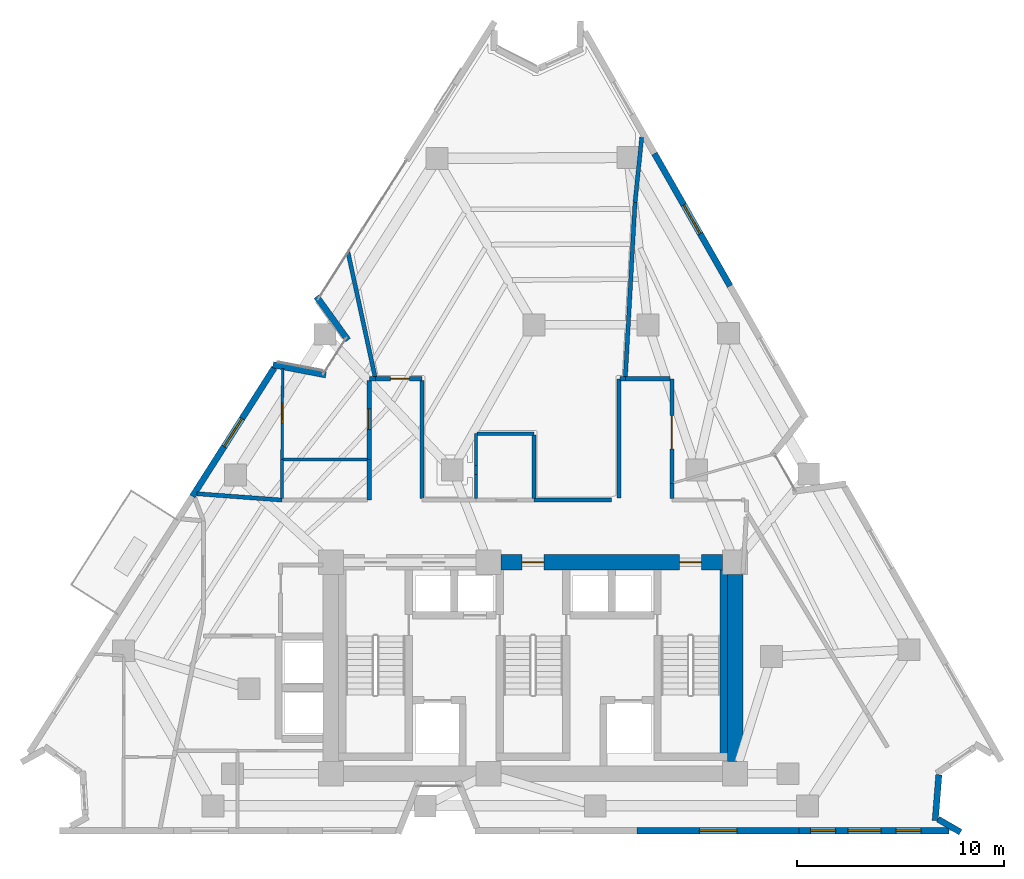
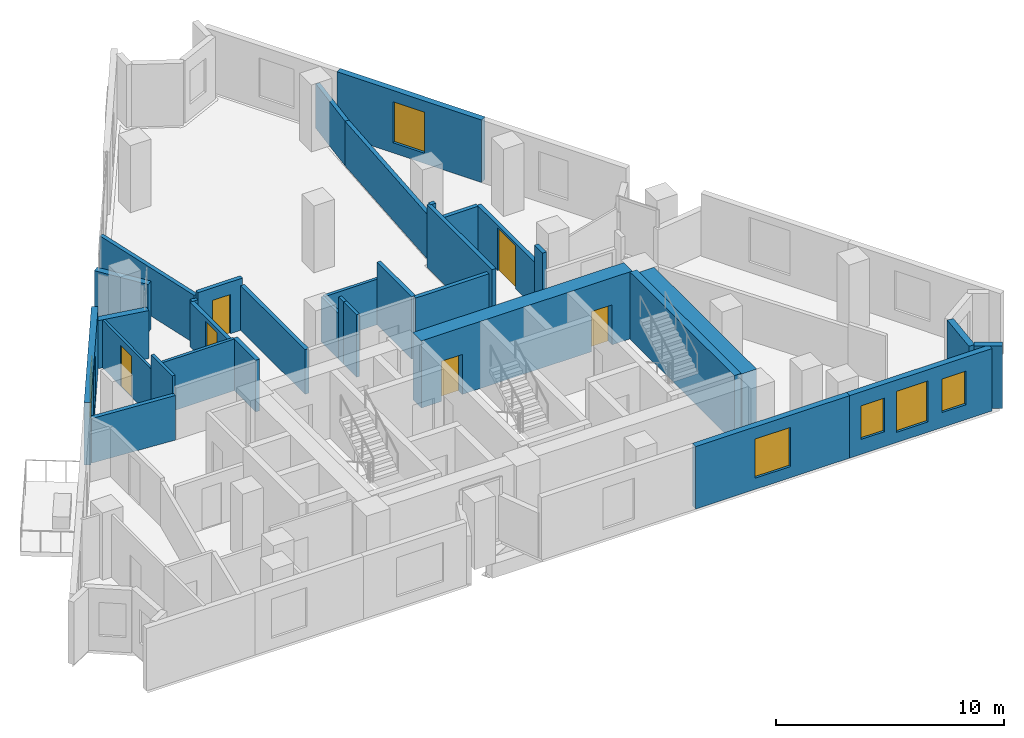
# One storey, part 8 of 11: 34 walls, 6 doors, 6 windows, 12 openings.
"""IFC4 building model written with IfcOpenShell, lengths in metres."""

from ifc_helpers import new_model, si_unit, direction, frame, frame_2d, origin, place, context, subcontext, project, spatial, rectangle, extrude, material, layer, layer_set, type_object, element, fill, save


model = new_model("IFC4")

# Units and contexts
model_context = context("Model", 3, precision=1e-05, world=origin(), true_north=direction((0.0, 1.0)))
body_context = subcontext(model_context, "Body", "Model", "MODEL_VIEW")
ifc_project = project(units=[si_unit("LENGTHUNIT", "METRE"), si_unit("AREAUNIT", "SQUARE_METRE"), si_unit("VOLUMEUNIT", "CUBIC_METRE"), si_unit("PLANEANGLEUNIT", "RADIAN"), si_unit("MASSUNIT", "GRAM", prefix="KILO")], contexts=[model_context])

# Site, building, storey
site_placement = place(None, origin())
site = spatial("IfcSite", under=ifc_project, at=site_placement, CompositionType="ELEMENT")
building_placement = place(site_placement, origin())
building = spatial("IfcBuilding", under=site, at=building_placement, Name="Almagre Mirador Tower", CompositionType="ELEMENT")
storey_placement = place(building_placement, frame((0.0, 0.0, 142.800048828125)))
storey = spatial("IfcBuildingStorey", under=building, at=storey_placement, Name="L36", CompositionType="ELEMENT", Elevation=142.800048828125)

# Walls
ifc_material_1 = material(Name="Precast concrete C50/60", Category="concrete")
ifc_layer_1 = layer(ifc_material_1, 0.300048828125)
ifc_layer_set_1 = layer_set([ifc_layer_1], Name="Precast concrete C50/60")
wall_type_1 = type_object("IfcWallType", Name="WAL-EXT-300", PredefinedType="SOLIDWALL", material=ifc_layer_set_1)
wall_1_placement = place(storey_placement, frame((24.758544921875, 24.2763671875, 0.0), z_axis=(0.0, 0.0, 1.0), x_axis=(0.982235402226, -0.187652909954, 0.0)))
element("IfcWall", 1, at=wall_1_placement, inside=storey, type_object=wall_type_1, Name="L36 expressed almagre precast frame wall 01", PredefinedType="SOLIDWALL", context=body_context, shape_type="SweptSolid", body=[
    extrude(rectangle(XDim=2.593017578125, YDim=0.300048828125, at=frame_2d((1.29638671875, 0.0))), origin(), (0.0, 0.0, 1.0), 2.574951171875),
])
wall_2_placement = place(storey_placement, frame((28.372802734375, 25.465576171875, 0.0), z_axis=(0.0, 0.0, 1.0), x_axis=(-0.585229316709, 0.810867835633, 0.0)))
element("IfcWall", 2, at=wall_2_placement, inside=storey, type_object=wall_type_1, Name="L36 expressed almagre precast frame wall 02", PredefinedType="SOLIDWALL", context=body_context, shape_type="SweptSolid", body=[
    extrude(rectangle(XDim=2.593505859375, YDim=0.300048828125, at=frame_2d((1.296875, 0.0))), origin(), (0.0, 0.0, 1.0), 2.574951171875),
])

# Wall, opening, window
wall_3_placement = place(storey_placement, frame((43.157958984375, 34.46240234375, 0.0), z_axis=(0.0, 0.0, 1.0), x_axis=(0.495673944594, -0.868508687723, 0.0)))
wall_3 = element("IfcWall", 3, at=wall_3_placement, inside=storey, type_object=wall_type_1, Name="L36 expressed almagre precast frame wall 09", PredefinedType="SOLIDWALL", context=body_context, shape_type="SweptSolid", body=[
    extrude(rectangle(XDim=7.351806640625, YDim=0.300048828125, at=frame_2d((3.67578125, 0.0))), origin(), (0.0, 0.0, 1.0), 3.349853515625),
])
opening_1_placement = place(wall_3_placement, frame((2.85009765625, 0.0, 0.550048828125)))
opening_1 = element("IfcOpeningElement", 4, at=opening_1_placement, cuts=wall_3, Name="Opening WN-06", PredefinedType="OPENING", context=body_context, shape_type="SweptSolid", body=[
    extrude(rectangle(XDim=1.60009765625, YDim=2.199951171875, at=frame_2d((0.800048828125, 1.10009765625))), frame((0.0, 0.159902, 0.0), z_axis=(0.0, -1.0, 0.0), x_axis=(1.0, 0.0, 0.0)), (0.0, 0.0, 1.0), 0.320049),
])
ifc_material_2 = material(Name="Dark solar-control laminated hurricane glass", Category="glass")
window_type_1 = type_object("IfcWindowType", Name="WIN-1600X2200", PartitioningType="DOUBLE_PANEL_VERTICAL", PredefinedType="WINDOW", material=ifc_material_2)
window_1_placement = place(opening_1_placement, origin())
window_1 = element("IfcWindow", 5, at=window_1_placement, inside=storey, type_object=window_type_1, Name="L36 recessed hurricane window L36-RST-H", OverallHeight=2.199951171875, OverallWidth=1.60009765625, PartitioningType="SINGLE_PANEL", PredefinedType="WINDOW", context=body_context, shape_type="SweptSolid", body=[
    extrude(rectangle(XDim=1.60009765625, YDim=2.199951171875, at=frame_2d((0.800048828125, 1.10009765625))), frame((0.0, 0.030029296875, 0.0), z_axis=(0.0, -1.0, 0.0), x_axis=(1.0, 0.0, 0.0)), (0.0, 0.0, 1.0), 0.06005859375),
])
fill(opening_1, window_1)

# Walls
wall_4_placement = place(storey_placement, frame((56.8759765625, 4.50244140625, 0.0), z_axis=(0.0, 0.0, 1.0), x_axis=(-0.079981668757, -0.996796334595, 0.0)))
element("IfcWall", 6, at=wall_4_placement, inside=storey, type_object=wall_type_1, Name="L36 expressed almagre precast frame wall 17", PredefinedType="SOLIDWALL", context=body_context, shape_type="SweptSolid", body=[
    extrude(rectangle(XDim=2.216064453125, YDim=0.300048828125, at=frame_2d((1.10791015625, 0.0))), origin(), (0.0, 0.0, 1.0), 3.349853515625),
])
wall_5_placement = place(storey_placement, frame((56.83544921875, 2.360107421875, 0.0), z_axis=(0.0, 0.0, 1.0), x_axis=(0.864799842676, -0.502116751471, 0.0)))
element("IfcWall", 7, at=wall_5_placement, inside=storey, type_object=wall_type_1, Name="L36 expressed almagre precast frame wall 18", PredefinedType="SOLIDWALL", context=body_context, shape_type="SweptSolid", body=[
    extrude(rectangle(XDim=1.25537109375, YDim=0.300048828125, at=frame_2d((0.627685546875, 0.0))), origin(), (0.0, 0.0, 1.0), 3.349853515625),
])

# Wall, openings, windows
wall_6_placement = place(storey_placement, frame((57.35498046875, 1.800048828125, 0.0), z_axis=(0.0, 0.0, 1.0), x_axis=(-1.0, 0.0, 0.0)))
wall_6 = element("IfcWall", 8, at=wall_6_placement, inside=storey, type_object=wall_type_1, Name="L36 expressed almagre precast frame wall 19", PredefinedType="SOLIDWALL", context=body_context, shape_type="SweptSolid", body=[
    extrude(rectangle(XDim=7.22705078125, YDim=0.300048828125, at=frame_2d((3.613525390625, 0.0))), origin(), (0.0, 0.0, 1.0), 3.349853515625),
])
opening_2_placement = place(wall_6_placement, frame((5.465087890625, 0.0, 0.800048828125)))
opening_2 = element("IfcOpeningElement", 9, at=opening_2_placement, cuts=wall_6, Name="Opening WN-04", PredefinedType="OPENING", context=body_context, shape_type="SweptSolid", body=[
    extrude(rectangle(XDim=1.199951171875, YDim=1.800048828125, at=frame_2d((0.60009765625, 0.89990234375))), frame((0.0, 0.159902, 0.0), z_axis=(0.0, -1.0, 0.0), x_axis=(1.0, 0.0, 0.0)), (0.0, 0.0, 1.0), 0.320049),
])
opening_3_placement = place(wall_6_placement, frame((3.264892578125, 0.0, 0.550048828125)))
opening_3 = element("IfcOpeningElement", 10, at=opening_3_placement, cuts=wall_6, Name="Opening WN-06", PredefinedType="OPENING", context=body_context, shape_type="SweptSolid", body=[
    extrude(rectangle(XDim=1.60009765625, YDim=2.199951171875, at=frame_2d((0.800048828125, 1.10009765625))), frame((0.0, 0.159902, 0.0), z_axis=(0.0, -1.0, 0.0), x_axis=(1.0, 0.0, 0.0)), (0.0, 0.0, 1.0), 0.320049),
])
opening_4_placement = place(wall_6_placement, frame((1.340087890625, 0.0, 0.800048828125)))
opening_4 = element("IfcOpeningElement", 11, at=opening_4_placement, cuts=wall_6, Name="Opening WN-04", PredefinedType="OPENING", context=body_context, shape_type="SweptSolid", body=[
    extrude(rectangle(XDim=1.199951171875, YDim=1.800048828125, at=frame_2d((0.60009765625, 0.89990234375))), frame((0.0, 0.159902, 0.0), z_axis=(0.0, -1.0, 0.0), x_axis=(1.0, 0.0, 0.0)), (0.0, 0.0, 1.0), 0.320049),
])
ifc_material_3 = material(Name="Dark solar-control laminated hurricane glass", Category="glass")
window_type_2 = type_object("IfcWindowType", Name="WIN-1200X1800", PartitioningType="SINGLE_PANEL", PredefinedType="WINDOW", material=ifc_material_3)
window_2_placement = place(opening_2_placement, origin())
window_2 = element("IfcWindow", 12, at=window_2_placement, inside=storey, type_object=window_type_2, Name="L36 recessed hurricane window L36-UD-ST", OverallHeight=1.800048828125, OverallWidth=1.199951171875, PartitioningType="SINGLE_PANEL", PredefinedType="WINDOW", context=body_context, shape_type="SweptSolid", body=[
    extrude(rectangle(XDim=1.199951171875, YDim=1.800048828125, at=frame_2d((0.60009765625, 0.89990234375))), frame((0.0, 0.030029296875, 0.0), z_axis=(0.0, -1.0, 0.0), x_axis=(1.0, 0.0, 0.0)), (0.0, 0.0, 1.0), 0.06005859375),
])
fill(opening_2, window_2)
window_3_placement = place(opening_4_placement, origin())
window_3 = element("IfcWindow", 13, at=window_3_placement, inside=storey, type_object=window_type_2, Name="L36 recessed hurricane window L36-UD-BT", OverallHeight=1.800048828125, OverallWidth=1.199951171875, PartitioningType="SINGLE_PANEL", PredefinedType="WINDOW", context=body_context, shape_type="SweptSolid", body=[
    extrude(rectangle(XDim=1.199951171875, YDim=1.800048828125, at=frame_2d((0.60009765625, 0.89990234375))), frame((0.0, 0.030029296875, 0.0), z_axis=(0.0, -1.0, 0.0), x_axis=(1.0, 0.0, 0.0)), (0.0, 0.0, 1.0), 0.06005859375),
])
fill(opening_4, window_3)
window_4_placement = place(opening_3_placement, origin())
window_4 = element("IfcWindow", 14, at=window_4_placement, inside=storey, type_object=window_type_1, Name="L36 recessed hurricane window L36-UD-KT", OverallHeight=2.199951171875, OverallWidth=1.60009765625, PartitioningType="SINGLE_PANEL", PredefinedType="WINDOW", context=body_context, shape_type="SweptSolid", body=[
    extrude(rectangle(XDim=1.60009765625, YDim=2.199951171875, at=frame_2d((0.800048828125, 1.10009765625))), frame((0.0, 0.030029296875, 0.0), z_axis=(0.0, -1.0, 0.0), x_axis=(1.0, 0.0, 0.0)), (0.0, 0.0, 1.0), 0.06005859375),
])
fill(opening_3, window_4)

# Wall, opening, window
wall_7_placement = place(storey_placement, frame((50.1279296875, 1.800048828125, 0.0), z_axis=(0.0, 0.0, 1.0), x_axis=(-1.0, 0.0, 0.0)))
wall_7 = element("IfcWall", 15, at=wall_7_placement, inside=storey, type_object=wall_type_1, Name="L36 expressed almagre precast frame wall 20", PredefinedType="SOLIDWALL", context=body_context, shape_type="SweptSolid", body=[
    extrude(rectangle(XDim=7.81201171875, YDim=0.300048828125, at=frame_2d((3.906005859375, 0.0))), origin(), (0.0, 0.0, 1.0), 3.349853515625),
])
opening_5_placement = place(wall_7_placement, frame((3.0, 0.0, 0.60009765625)))
opening_5 = element("IfcOpeningElement", 16, at=opening_5_placement, cuts=wall_7, Name="Opening WN-01", PredefinedType="OPENING", context=body_context, shape_type="SweptSolid", body=[
    extrude(rectangle(XDim=1.800048828125, YDim=2.10009765625, at=frame_2d((0.89990234375, 1.050048828125))), frame((0.0, 0.159902, 0.0), z_axis=(0.0, -1.0, 0.0), x_axis=(1.0, 0.0, 0.0)), (0.0, 0.0, 1.0), 0.320049),
])
ifc_material_4 = material(Name="Dark solar-control laminated hurricane glass", Category="glass")
window_type_3 = type_object("IfcWindowType", Name="WIN-1800X2100", PartitioningType="DOUBLE_PANEL_VERTICAL", PredefinedType="WINDOW", material=ifc_material_4)
window_5_placement = place(opening_5_placement, origin())
window_5 = element("IfcWindow", 17, at=window_5_placement, inside=storey, type_object=window_type_3, Name="L36 recessed hurricane window L36-UC-KT", OverallHeight=2.10009765625, OverallWidth=1.800048828125, PartitioningType="SINGLE_PANEL", PredefinedType="WINDOW", context=body_context, shape_type="SweptSolid", body=[
    extrude(rectangle(XDim=1.800048828125, YDim=2.10009765625, at=frame_2d((0.89990234375, 1.050048828125))), frame((0.0, 0.030029296875, 0.0), z_axis=(0.0, -1.0, 0.0), x_axis=(1.0, 0.0, 0.0)), (0.0, 0.0, 1.0), 0.06005859375),
])
fill(opening_5, window_5)

wall_8_placement = place(storey_placement, frame((20.8720703125, 17.9306640625, 0.0), z_axis=(0.0, 0.0, 1.0), x_axis=(0.537120433892, 0.843505565776, 0.0)))
wall_8 = element("IfcWall", 18, at=wall_8_placement, inside=storey, type_object=wall_type_1, Name="L36 expressed almagre precast frame wall 33", PredefinedType="SOLIDWALL", context=body_context, shape_type="SweptSolid", body=[
    extrude(rectangle(XDim=7.3515625, YDim=0.300048828125, at=frame_2d((3.67578125, 0.0))), origin(), (0.0, 0.0, 1.0), 3.349853515625),
])
opening_6_placement = place(wall_8_placement, frame((2.85009765625, 0.0, 0.550048828125)))
opening_6 = element("IfcOpeningElement", 19, at=opening_6_placement, cuts=wall_8, Name="Opening WN-06", PredefinedType="OPENING", context=body_context, shape_type="SweptSolid", body=[
    extrude(rectangle(XDim=1.60009765625, YDim=2.199951171875, at=frame_2d((0.800048828125, 1.10009765625))), frame((0.0, 0.159902, 0.0), z_axis=(0.0, -1.0, 0.0), x_axis=(1.0, 0.0, 0.0)), (0.0, 0.0, 1.0), 0.320049),
])
window_6_placement = place(opening_6_placement, origin())
window_6 = element("IfcWindow", 20, at=window_6_placement, inside=storey, type_object=window_type_1, Name="L36 recessed hurricane window L36-UF-KT", OverallHeight=2.199951171875, OverallWidth=1.60009765625, PartitioningType="SINGLE_PANEL", PredefinedType="WINDOW", context=body_context, shape_type="SweptSolid", body=[
    extrude(rectangle(XDim=1.60009765625, YDim=2.199951171875, at=frame_2d((0.800048828125, 1.10009765625))), frame((0.0, 0.030029296875, 0.0), z_axis=(0.0, -1.0, 0.0), x_axis=(1.0, 0.0, 0.0)), (0.0, 0.0, 1.0), 0.06005859375),
])
fill(opening_6, window_6)

# Wall, opening, door
ifc_material_5 = material(Name="Gypsum acoustic stud partition", Category="other")
ifc_layer_2 = layer(ifc_material_5, 0.125)
ifc_layer_set_2 = layer_set([ifc_layer_2], Name="Gypsum acoustic stud partition")
wall_type_2 = type_object("IfcWallType", Name="WAL-PRT-125-UTL", PredefinedType="PARTITIONING", material=ifc_layer_set_2)
wall_9_placement = place(storey_placement, frame((25.22412109375, 24.087890625, 0.0), z_axis=(0.0, 0.0, 1.0), x_axis=(-0.007807033987, -0.999969524646, 0.0)))
wall_9 = element("IfcWall", 21, at=wall_9_placement, inside=storey, type_object=wall_type_2, Name="L36 interior partition 045", PredefinedType="PARTITIONING", context=body_context, shape_type="SweptSolid", body=[
    extrude(rectangle(XDim=4.378173828125, YDim=0.125, at=frame_2d((2.18896484375, 0.0))), origin(), (0.0, 0.0, 1.0), 2.570068359375),
])
opening_7_placement = place(wall_9_placement, frame((1.664794921875, 0.0, 0.0)))
opening_7 = element("IfcOpeningElement", 22, at=opening_7_placement, cuts=wall_9, Name="Opening UD-01", PredefinedType="OPENING", context=body_context, shape_type="SweptSolid", body=[
    extrude(rectangle(XDim=0.949951171875, YDim=2.199951171875, at=frame_2d((0.47509765625, 1.10009765625))), frame((0.0, 0.0725, 0.0), z_axis=(0.0, -1.0, 0.0), x_axis=(1.0, 0.0, 0.0)), (0.0, 0.0, 1.0), 0.145),
])
ifc_material_6 = material(Name="Solid American walnut timber", Category="wood")
door_type_1 = type_object("IfcDoorType", Name="DOR-UNR-950X2200", OperationType="NOTDEFINED", PredefinedType="DOOR", material=ifc_material_6)
door_1_placement = place(opening_7_placement, origin())
door_1 = element("IfcDoor", 23, at=door_1_placement, inside=storey, type_object=door_type_1, Name="DR-1182 L36 interior door L36-UF-ST to L36-UF-KT", OperationType="SINGLE_SWING_RIGHT", OverallHeight=2.199951171875, OverallWidth=0.949951171875, PredefinedType="DOOR", context=body_context, shape_type="SweptSolid", body=[
    extrude(rectangle(XDim=0.949951171875, YDim=2.199951171875, at=frame_2d((0.47509765625, 1.10009765625))), frame((0.0, 0.02490234375, 0.0), z_axis=(0.0, -1.0, 0.0), x_axis=(1.0, 0.0, 0.0)), (0.0, 0.0, 1.0), 0.050048828125),
])
fill(opening_7, door_1)

# Walls
ifc_material_7 = material(Name="Gypsum acoustic stud partition", Category="other")
ifc_layer_3 = layer(ifc_material_7, 0.14990234375)
ifc_layer_set_3 = layer_set([ifc_layer_3], Name="Gypsum acoustic stud partition")
wall_type_3 = type_object("IfcWallType", Name="WAL-PRT-150-STD", PredefinedType="PARTITIONING", material=ifc_layer_set_3)
wall_10_placement = place(storey_placement, frame((25.237548828125, 19.7099609375, 0.0), z_axis=(0.0, 0.0, 1.0), x_axis=(1.0, 0.0, 0.0)))
element("IfcWall", 24, at=wall_10_placement, inside=storey, type_object=wall_type_3, Name="L36 interior partition 046", PredefinedType="PARTITIONING", context=body_context, shape_type="SweptSolid", body=[
    extrude(rectangle(XDim=4.077392578125, YDim=0.14990234375, at=frame_2d((2.03857421875, 0.0))), origin(), (0.0, 0.0, 1.0), 2.77099609375),
])
wall_11_placement = place(storey_placement, frame((25.18994140625, 17.8349609375, 0.0), z_axis=(0.0, 0.0, 1.0), x_axis=(0.0, 1.0, 0.0)))
element("IfcWall", 25, at=wall_11_placement, inside=storey, type_object=wall_type_3, Name="L36 interior partition 048", PredefinedType="PARTITIONING", context=body_context, shape_type="SweptSolid", body=[
    extrude(rectangle(XDim=1.862548828125, YDim=0.14990234375, at=frame_2d((0.93115234375, 0.0))), origin(), (0.0, 0.0, 1.0), 3.349853515625),
])
wall_12_placement = place(storey_placement, frame((34.5400390625, 17.8349609375, 0.0), z_axis=(0.0, 0.0, 1.0), x_axis=(0.0, 1.0, 0.0)))
element("IfcWall", 26, at=wall_12_placement, inside=storey, type_object=wall_type_3, Name="L36 interior partition 049", PredefinedType="PARTITIONING", context=body_context, shape_type="SweptSolid", body=[
    extrude(rectangle(XDim=1.14501953125, YDim=0.14990234375, at=frame_2d((0.572509765625, 0.0))), origin(), (0.0, 0.0, 1.0), 3.349853515625),
])
wall_13_placement = place(storey_placement, frame((34.5400390625, 19.419921875, 0.0), z_axis=(0.0, 0.0, 1.0), x_axis=(0.0, 1.0, 0.0)))
element("IfcWall", 27, at=wall_13_placement, inside=storey, type_object=wall_type_3, Name="L36 interior partition 050", PredefinedType="PARTITIONING", context=body_context, shape_type="SweptSolid", body=[
    extrude(rectangle(XDim=1.530029296875, YDim=0.14990234375, at=frame_2d((0.76513671875, 0.0))), origin(), (0.0, 0.0, 1.0), 2.43603515625),
])
wall_14_placement = place(storey_placement, frame((37.35009765625, 20.949951171875, 0.0), z_axis=(0.0, 0.0, 1.0), x_axis=(-1.0, 0.0, 0.0)))
element("IfcWall", 28, at=wall_14_placement, inside=storey, type_object=wall_type_3, Name="L36 interior partition 057", PredefinedType="PARTITIONING", context=body_context, shape_type="SweptSolid", body=[
    extrude(rectangle(XDim=2.75, YDim=0.14990234375, at=frame_2d((1.375, 0.0))), origin(), (0.0, 0.0, 1.0), 2.43603515625),
])
wall_15_placement = place(storey_placement, frame((34.5400390625, 19.419921875, 0.0), z_axis=(0.0, 0.0, 1.0), x_axis=(0.0, -1.0, 0.0)))
element("IfcWall", 29, at=wall_15_placement, inside=storey, type_object=wall_type_3, Name="L36 interior partition 069", PredefinedType="PARTITIONING", context=body_context, shape_type="SweptSolid", body=[
    extrude(rectangle(XDim=0.43994140625, YDim=0.14990234375, at=frame_2d((0.219970703125, 0.0))), origin(), (0.0, 0.0, 1.0), 3.349853515625),
])
ifc_material_8 = material(Name="Gypsum acoustic stud partition", Category="other")
ifc_layer_4 = layer(ifc_material_8, 0.199951171875)
ifc_layer_set_4 = layer_set([ifc_layer_4], Name="Gypsum acoustic stud partition")
wall_type_4 = type_object("IfcWallType", Name="WAL-PRT-200-EI60", PredefinedType="PARTITIONING", material=ifc_layer_set_4)
wall_16_placement = place(storey_placement, frame((44.0, 17.8349609375, 0.0), z_axis=(0.0, 0.0, 1.0), x_axis=(0.0, 1.0, 0.0)))
element("IfcWall", 30, at=wall_16_placement, inside=storey, type_object=wall_type_4, Name="L36 interior partition 007", PredefinedType="PARTITIONING", context=body_context, shape_type="SweptSolid", body=[
    extrude(rectangle(XDim=0.72509765625, YDim=0.199951171875, at=frame_2d((0.362548828125, 0.0))), origin(), (0.0, 0.0, 1.0), 3.349853515625),
])
wall_17_placement = place(storey_placement, frame((29.699951171875, 23.60009765625, 0.0), z_axis=(0.0, 0.0, 1.0), x_axis=(-1.0, 0.0, 0.0)))
element("IfcWall", 31, at=wall_17_placement, inside=storey, type_object=wall_type_4, Name="L36 interior partition 008", PredefinedType="PARTITIONING", context=body_context, shape_type="SweptSolid", body=[
    extrude(rectangle(XDim=0.300048828125, YDim=0.199951171875, at=frame_2d((0.14990234375, 0.0))), origin(), (0.0, 0.0, 1.0), 2.39306640625),
])

# Wall, opening, door
wall_18_placement = place(storey_placement, frame((29.39990234375, 23.514892578125, 0.0), z_axis=(0.0, 0.0, 1.0), x_axis=(0.0, -1.0, 0.0)))
wall_18 = element("IfcWall", 32, at=wall_18_placement, inside=storey, type_object=wall_type_4, Name="L36 interior partition 009", PredefinedType="PARTITIONING", context=body_context, shape_type="SweptSolid", body=[
    extrude(rectangle(XDim=3.804931640625, YDim=0.199951171875, at=frame_2d((1.90234375, 0.0))), origin(), (0.0, 0.0, 1.0), 2.39306640625),
])
opening_8_placement = place(wall_18_placement, frame((1.360107421875, 0.0, 0.0)))
opening_8 = element("IfcOpeningElement", 33, at=opening_8_placement, cuts=wall_18, Name="Opening ID-01", PredefinedType="OPENING", context=body_context, shape_type="SweptSolid", body=[
    extrude(rectangle(XDim=1.0, YDim=2.199951171875, at=frame_2d((0.5, 1.10009765625))), frame((0.0, 0.110098, 0.0), z_axis=(0.0, -1.0, 0.0), x_axis=(1.0, 0.0, 0.0)), (0.0, 0.0, 1.0), 0.219951),
])
ifc_material_9 = material(Name="Fire-rated walnut timber", Category="wood")
door_type_2 = type_object("IfcDoorType", Name="DOR-FD60-1000X2200", OperationType="NOTDEFINED", PredefinedType="DOOR", material=ifc_material_9)
door_2_placement = place(opening_8_placement, origin())
door_2 = element("IfcDoor", 34, at=door_2_placement, inside=storey, type_object=door_type_2, Name="DR-1181 L36 interior door L36-RCOR to L36-UF-ST", OperationType="SINGLE_SWING_LEFT", OverallHeight=2.199951171875, OverallWidth=1.0, PredefinedType="DOOR", context=body_context, shape_type="SweptSolid", body=[
    extrude(rectangle(XDim=1.0, YDim=2.199951171875, at=frame_2d((0.5, 1.10009765625))), frame((0.0, 0.02490234375, 0.0), z_axis=(0.0, -1.0, 0.0), x_axis=(1.0, 0.0, 0.0)), (0.0, 0.0, 1.0), 0.050048828125),
])
fill(opening_8, door_2)

# Walls
wall_19_placement = place(storey_placement, frame((25.18994140625, 17.75, 0.0), z_axis=(0.0, 0.0, 1.0), x_axis=(-0.997225281332, 0.074442852398, 0.0)))
element("IfcWall", 35, at=wall_19_placement, inside=storey, type_object=wall_type_4, Name="L36 interior partition 010", PredefinedType="PARTITIONING", context=body_context, shape_type="SweptSolid", body=[
    extrude(rectangle(XDim=4.109375, YDim=0.199951171875, at=frame_2d((2.0546875, 0.0))), origin(), (0.0, 0.0, 1.0), 2.39306640625),
])
wall_20_placement = place(storey_placement, frame((29.39990234375, 19.7099609375, 0.0), z_axis=(0.0, 0.0, 1.0), x_axis=(0.0, -1.0, 0.0)))
element("IfcWall", 36, at=wall_20_placement, inside=storey, type_object=wall_type_4, Name="L36 interior partition 012", PredefinedType="PARTITIONING", context=body_context, shape_type="SweptSolid", body=[
    extrude(rectangle(XDim=1.9599609375, YDim=0.199951171875, at=frame_2d((0.97998046875, 0.0))), origin(), (0.0, 0.0, 1.0), 2.77099609375),
])

# Wall, opening, door
wall_21_placement = place(storey_placement, frame((44.0, 18.56005859375, 0.0), z_axis=(0.0, 0.0, 1.0), x_axis=(0.0, 1.0, 0.0)))
wall_21 = element("IfcWall", 37, at=wall_21_placement, inside=storey, type_object=wall_type_4, Name="L36 interior partition 017", PredefinedType="PARTITIONING", context=body_context, shape_type="SweptSolid", body=[
    extrude(rectangle(XDim=5.0400390625, YDim=0.199951171875, at=frame_2d((2.52001953125, 0.0))), origin(), (0.0, 0.0, 1.0), 2.43603515625),
])
opening_9_placement = place(wall_21_placement, frame((1.66162109375, 0.0, 0.0)))
opening_9 = element("IfcOpeningElement", 38, at=opening_9_placement, cuts=wall_21, Name="Opening ID-05", PredefinedType="OPENING", context=body_context, shape_type="SweptSolid", body=[
    extrude(rectangle(XDim=1.60009765625, YDim=2.300048828125, at=frame_2d((0.800048828125, 1.14990234375))), frame((0.0, 0.110098, 0.0), z_axis=(0.0, -1.0, 0.0), x_axis=(1.0, 0.0, 0.0)), (0.0, 0.0, 1.0), 0.219951),
])
ifc_material_10 = material(Name="Fire-rated acoustic timber", Category="wood")
door_type_3 = type_object("IfcDoorType", Name="DOR-FD60-1600X2300", OperationType="DOUBLE_DOOR_SINGLE_SWING", PredefinedType="DOOR", material=ifc_material_10)
door_3_placement = place(opening_9_placement, origin())
door_3 = element("IfcDoor", 39, at=door_3_placement, inside=storey, type_object=door_type_3, Name="DR-1174 L36 interior door L36-RCOR to L36-RST-H", OperationType="DOUBLE_DOOR_SINGLE_SWING", OverallHeight=2.300048828125, OverallWidth=1.60009765625, PredefinedType="DOOR", context=body_context, shape_type="SweptSolid", body=[
    extrude(rectangle(XDim=1.60009765625, YDim=2.300048828125, at=frame_2d((0.800048828125, 1.14990234375))), frame((0.0, 0.02490234375, 0.0), z_axis=(0.0, -1.0, 0.0), x_axis=(1.0, 0.0, 0.0)), (0.0, 0.0, 1.0), 0.050048828125),
])
fill(opening_9, door_3)

# Wall
wall_22_placement = place(storey_placement, frame((43.9150390625, 23.60009765625, 0.0), z_axis=(0.0, 0.0, 1.0), x_axis=(-1.0, 0.0, 0.0)))
element("IfcWall", 40, at=wall_22_placement, inside=storey, type_object=wall_type_4, Name="L36 interior partition 018", PredefinedType="PARTITIONING", context=body_context, shape_type="SweptSolid", body=[
    extrude(rectangle(XDim=2.1650390625, YDim=0.199951171875, at=frame_2d((1.08251953125, 0.0))), origin(), (0.0, 0.0, 1.0), 2.43603515625),
])

# Wall, opening, door
wall_23_placement = place(storey_placement, frame((31.949951171875, 23.60009765625, 0.0), z_axis=(0.0, 0.0, 1.0), x_axis=(-1.0, 0.0, 0.0)))
wall_23 = element("IfcWall", 41, at=wall_23_placement, inside=storey, type_object=wall_type_4, Name="L36 interior partition 020", PredefinedType="PARTITIONING", context=body_context, shape_type="SweptSolid", body=[
    extrude(rectangle(XDim=2.25, YDim=0.199951171875, at=frame_2d((1.125, 0.0))), origin(), (0.0, 0.0, 1.0), 2.77099609375),
])
opening_10_placement = place(wall_23_placement, frame((0.615478515625, 0.0, 0.0)))
opening_10 = element("IfcOpeningElement", 42, at=opening_10_placement, cuts=wall_23, Name="Opening ID-03", PredefinedType="OPENING", context=body_context, shape_type="SweptSolid", body=[
    extrude(rectangle(XDim=0.89990234375, YDim=2.10009765625, at=frame_2d((0.449951171875, 1.050048828125))), frame((0.0, 0.110098, 0.0), z_axis=(0.0, -1.0, 0.0), x_axis=(1.0, 0.0, 0.0)), (0.0, 0.0, 1.0), 0.219951),
])
ifc_material_11 = material(Name="Fire-rated hollow steel", Category="steel")
door_type_4 = type_object("IfcDoorType", Name="DOR-FD60-900X2100", OperationType="NOTDEFINED", PredefinedType="DOOR", material=ifc_material_11)
door_4_placement = place(opening_10_placement, origin())
door_4 = element("IfcDoor", 43, at=door_4_placement, inside=storey, type_object=door_type_4, Name="DR-1175 L36 interior door L36-RCOR to L36-RST-J", OperationType="SINGLE_SWING_RIGHT", OverallHeight=2.10009765625, OverallWidth=0.89990234375, PredefinedType="DOOR", context=body_context, shape_type="SweptSolid", body=[
    extrude(rectangle(XDim=0.89990234375, YDim=2.10009765625, at=frame_2d((0.449951171875, 1.050048828125))), frame((0.0, 0.02490234375, 0.0), z_axis=(0.0, -1.0, 0.0), x_axis=(1.0, 0.0, 0.0)), (0.0, 0.0, 1.0), 0.050048828125),
])
fill(opening_10, door_4)

# Walls
wall_24_placement = place(storey_placement, frame((41.080078125, 17.75, 0.0), z_axis=(0.0, 0.0, 1.0), x_axis=(-1.0, 0.0, 0.0)))
element("IfcWall", 44, at=wall_24_placement, inside=storey, type_object=wall_type_4, Name="L36 interior partition 021", PredefinedType="PARTITIONING", context=body_context, shape_type="SweptSolid", body=[
    extrude(rectangle(XDim=3.72998046875, YDim=0.199951171875, at=frame_2d((1.864990234375, 0.0))), origin(), (0.0, 0.0, 1.0), 3.349853515625),
])
wall_25_placement = place(storey_placement, frame((41.75, 23.60009765625, 0.0), z_axis=(0.0, 0.0, 1.0), x_axis=(-1.0, 0.0, 0.0)))
element("IfcWall", 45, at=wall_25_placement, inside=storey, type_object=wall_type_4, Name="L36 interior partition 022", PredefinedType="PARTITIONING", context=body_context, shape_type="SweptSolid", body=[
    extrude(rectangle(XDim=0.2548828125, YDim=0.199951171875, at=frame_2d((0.12744140625, 0.0))), origin(), (0.0, 0.0, 1.0), 3.349853515625),
])
wall_26_placement = place(storey_placement, frame((41.449951171875, 23.60009765625, 0.0), z_axis=(0.0, 0.0, 1.0), x_axis=(0.0, -1.0, 0.0)))
element("IfcWall", 46, at=wall_26_placement, inside=storey, type_object=wall_type_4, Name="L36 interior partition 023", PredefinedType="PARTITIONING", context=body_context, shape_type="SweptSolid", body=[
    extrude(rectangle(XDim=5.75, YDim=0.199951171875, at=frame_2d((2.875, 0.0))), origin(), (0.0, 0.0, 1.0), 3.349853515625),
])
wall_27_placement = place(storey_placement, frame((29.681884765625, 23.68310546875, 0.0), z_axis=(0.0, 0.0, 1.0), x_axis=(-0.212188085865, 0.977228845367, 0.0)))
element("IfcWall", 47, at=wall_27_placement, inside=storey, type_object=wall_type_4, Name="L36 interior partition 047", PredefinedType="PARTITIONING", context=body_context, shape_type="SweptSolid", body=[
    extrude(rectangle(XDim=6.168212890625, YDim=0.199951171875, at=frame_2d((3.083984375, 0.0))), origin(), (0.0, 0.0, 1.0), 2.570068359375),
])
wall_28_placement = place(storey_placement, frame((37.35009765625, 17.8349609375, 0.0), z_axis=(0.0, 0.0, 1.0), x_axis=(0.0, 1.0, 0.0)))
element("IfcWall", 48, at=wall_28_placement, inside=storey, type_object=wall_type_4, Name="L36 interior partition 058", PredefinedType="PARTITIONING", context=body_context, shape_type="SweptSolid", body=[
    extrude(rectangle(XDim=3.054931640625, YDim=0.199951171875, at=frame_2d((1.52734375, 0.0))), origin(), (0.0, 0.0, 1.0), 3.349853515625),
])
wall_29_placement = place(storey_placement, frame((42.219970703125, 32.110107421875, 0.0), z_axis=(0.0, 0.0, 1.0), x_axis=(-0.055146323059, -0.998478283716, 0.0)))
element("IfcWall", 49, at=wall_29_placement, inside=storey, type_object=wall_type_4, Name="L36 interior partition 062", PredefinedType="PARTITIONING", context=body_context, shape_type="SweptSolid", body=[
    extrude(rectangle(XDim=8.438232421875, YDim=0.199951171875, at=frame_2d((4.21923828125, 0.0))), origin(), (0.0, 0.0, 1.0), 2.39306640625),
])
wall_30_placement = place(storey_placement, frame((42.54296875, 35.2470703125, 0.0), z_axis=(0.0, 0.0, 1.0), x_axis=(-0.102423703174, -0.994740863254, 0.0)))
element("IfcWall", 50, at=wall_30_placement, inside=storey, type_object=wall_type_4, Name="L36 interior partition 063", PredefinedType="PARTITIONING", context=body_context, shape_type="SweptSolid", body=[
    extrude(rectangle(XDim=3.153564453125, YDim=0.199951171875, at=frame_2d((1.57666015625, 0.0))), origin(), (0.0, 0.0, 1.0), 2.39306640625),
])
wall_31_placement = place(storey_placement, frame((31.949951171875, 17.8349609375, 0.0), z_axis=(0.0, 0.0, 1.0), x_axis=(0.0, 1.0, 0.0)))
element("IfcWall", 51, at=wall_31_placement, inside=storey, type_object=wall_type_4, Name="L36 interior partition 067", PredefinedType="PARTITIONING", context=body_context, shape_type="SweptSolid", body=[
    extrude(rectangle(XDim=5.675048828125, YDim=0.199951171875, at=frame_2d((2.83740234375, 0.0))), origin(), (0.0, 0.0, 1.0), 2.39306640625),
])
ifc_material_12 = material(Name="Concrete C60/75", Category="concrete")
ifc_layer_5 = layer(ifc_material_12, 0.35009765625)
ifc_layer_set_5 = layer_set([ifc_layer_5], Name="Concrete C60/75")
wall_type_5 = type_object("IfcWallType", Name="WAL-SHF-350", PredefinedType="SOLIDWALL", material=ifc_layer_set_5)
wall_32_placement = place(storey_placement, frame((46.5, 5.199951171875, 0.0), z_axis=(0.0, 0.0, 1.0), x_axis=(0.0, 1.0, 0.0)))
element("IfcWall", 52, at=wall_32_placement, inside=storey, type_object=wall_type_5, Name="L36 shaft wall ST3-E", PredefinedType="SOLIDWALL", context=body_context, shape_type="SweptSolid", body=[
    extrude(rectangle(XDim=9.175048828125, YDim=0.35009765625, at=frame_2d((4.58740234375, 0.0))), origin(), (0.0, 0.0, 1.0), 3.599853515625),
])

# Wall, openings, doors
ifc_material_13 = material(Name="Concrete C60/75", Category="concrete")
ifc_layer_6 = layer(ifc_material_13, 0.75)
ifc_layer_set_6 = layer_set([ifc_layer_6], Name="Concrete C60/75")
wall_type_6 = type_object("IfcWallType", Name="WAL-SHR-750", PredefinedType="SHEAR", material=ifc_layer_set_6)
wall_33_placement = place(storey_placement, frame((35.75, 14.75, 0.0), z_axis=(0.0, 0.0, 1.0), x_axis=(1.0, 0.0, 0.0)))
wall_33 = element("IfcWall", 53, at=wall_33_placement, inside=storey, type_object=wall_type_6, Name="L36 core shear wall N2", PredefinedType="SHEAR", context=body_context, shape_type="SweptSolid", body=[
    extrude(rectangle(XDim=10.699951171875, YDim=0.75, at=frame_2d((5.35009765625, 0.0))), origin(), (0.0, 0.0, 1.0), 3.599853515625),
])
opening_11_placement = place(wall_33_placement, frame((1.02490234375, 0.0, 0.0)))
opening_11 = element("IfcOpeningElement", 54, at=opening_11_placement, cuts=wall_33, Name="Opening SD-01", PredefinedType="OPENING", context=body_context, shape_type="SweptSolid", body=[
    extrude(rectangle(XDim=1.050048828125, YDim=2.14990234375, at=frame_2d((0.52490234375, 1.074951171875))), frame((0.0, 0.385, 0.0), z_axis=(0.0, -1.0, 0.0), x_axis=(1.0, 0.0, 0.0)), (0.0, 0.0, 1.0), 0.77),
])
opening_12_placement = place(wall_33_placement, frame((8.625, 0.0, 0.0)))
opening_12 = element("IfcOpeningElement", 55, at=opening_12_placement, cuts=wall_33, Name="Opening SD-01", PredefinedType="OPENING", context=body_context, shape_type="SweptSolid", body=[
    extrude(rectangle(XDim=1.050048828125, YDim=2.14990234375, at=frame_2d((0.52490234375, 1.074951171875))), frame((0.0, 0.385, 0.0), z_axis=(0.0, -1.0, 0.0), x_axis=(1.0, 0.0, 0.0)), (0.0, 0.0, 1.0), 0.77),
])
ifc_material_14 = material(Name="Fire-rated hollow steel", Category="steel")
door_type_5 = type_object("IfcDoorType", Name="DOR-ST-1050X2150", OperationType="NOTDEFINED", PredefinedType="DOOR", material=ifc_material_14)
door_5_placement = place(opening_11_placement, origin())
door_5 = element("IfcDoor", 56, at=door_5_placement, inside=storey, type_object=door_type_5, Name="DR-1189 L36 protected exit stair ST-2 door", OperationType="SINGLE_SWING_RIGHT", OverallHeight=2.14990234375, OverallWidth=1.050048828125, PredefinedType="DOOR", context=body_context, shape_type="SweptSolid", body=[
    extrude(rectangle(XDim=1.050048828125, YDim=2.14990234375, at=frame_2d((0.52490234375, 1.074951171875))), frame((0.0, 0.02490234375, 0.0), z_axis=(0.0, -1.0, 0.0), x_axis=(1.0, 0.0, 0.0)), (0.0, 0.0, 1.0), 0.050048828125),
])
fill(opening_11, door_5)
door_6_placement = place(opening_12_placement, origin())
door_6 = element("IfcDoor", 57, at=door_6_placement, inside=storey, type_object=door_type_5, Name="DR-1190 L36 protected exit stair ST-3 door", OperationType="SINGLE_SWING_LEFT", OverallHeight=2.14990234375, OverallWidth=1.050048828125, PredefinedType="DOOR", context=body_context, shape_type="SweptSolid", body=[
    extrude(rectangle(XDim=1.050048828125, YDim=2.14990234375, at=frame_2d((0.52490234375, 1.074951171875))), frame((0.0, 0.02490234375, 0.0), z_axis=(0.0, -1.0, 0.0), x_axis=(1.0, 0.0, 0.0)), (0.0, 0.0, 1.0), 0.050048828125),
])
fill(opening_12, door_6)

# Wall
wall_34_placement = place(storey_placement, frame((47.050048828125, 5.14990234375, 0.0), z_axis=(0.0, 0.0, 1.0), x_axis=(0.0, 1.0, 0.0)))
element("IfcWall", 58, at=wall_34_placement, inside=storey, type_object=wall_type_6, Name="L36 core shear wall E1", PredefinedType="SHEAR", context=body_context, shape_type="SweptSolid", body=[
    extrude(rectangle(XDim=9.0, YDim=0.75, at=frame_2d((4.5, 0.0))), origin(), (0.0, 0.0, 1.0), 3.599853515625),
])

save(model, "model.ifc")
